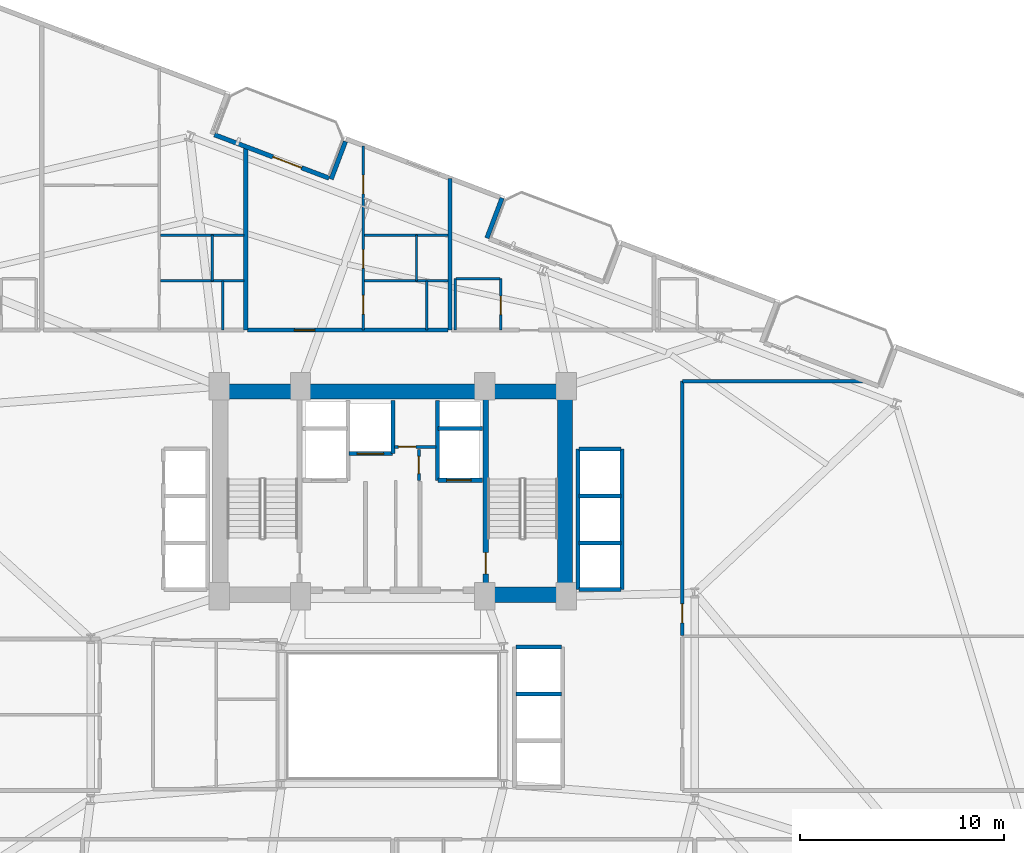
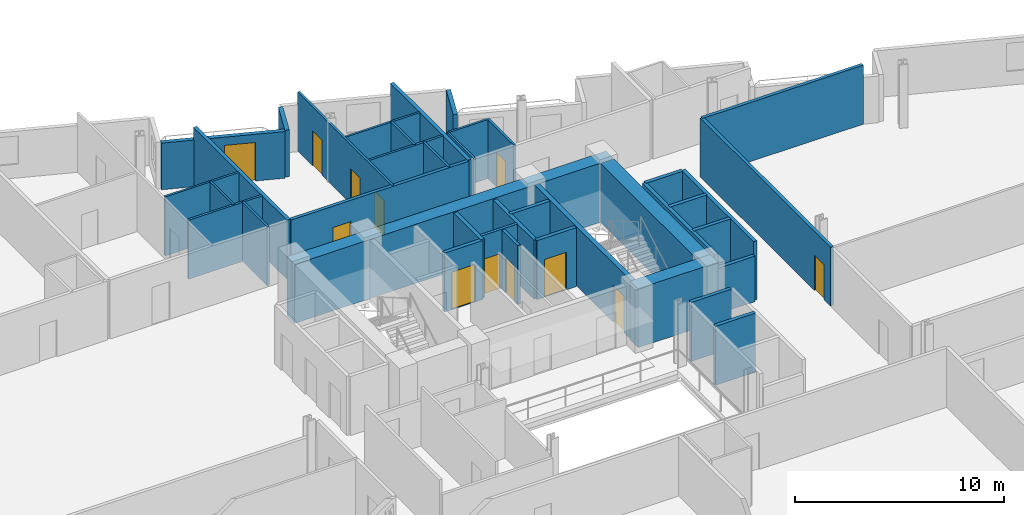
# One storey, part 20 of 25: 39 walls, 12 doors, 12 openings.
"""IFC4 building model written with IfcOpenShell, lengths in metres."""

from ifc_helpers import new_model, si_unit, direction, frame, frame_2d, origin, place, context, subcontext, project, spatial, rectangle, extrude, material, layer, layer_set, type_object, element, fill, save


model = new_model("IFC4")

# Units and contexts
model_context = context("Model", 3, precision=1e-05, world=origin(), true_north=direction((0.0, 1.0)))
body_context = subcontext(model_context, "Body", "Model", "MODEL_VIEW")
ifc_project = project(units=[si_unit("LENGTHUNIT", "METRE"), si_unit("AREAUNIT", "SQUARE_METRE"), si_unit("VOLUMEUNIT", "CUBIC_METRE"), si_unit("PLANEANGLEUNIT", "RADIAN"), si_unit("MASSUNIT", "GRAM", prefix="KILO")], contexts=[model_context])

# Site, building, storey
site_placement = place(None, origin())
site = spatial("IfcSite", under=ifc_project, at=site_placement, CompositionType="ELEMENT")
building_placement = place(site_placement, origin())
building = spatial("IfcBuilding", under=site, at=building_placement, Name="Varnelok Gate Tower", CompositionType="ELEMENT")
storey_placement = place(building_placement, frame((0.0, 0.0, 105.800048828125)))
storey = spatial("IfcBuildingStorey", under=building, at=storey_placement, Name="L26", CompositionType="ELEMENT", Elevation=105.800048828125)

# Wall, opening, door
ifc_material_1 = material(Name="Concrete C45/55", Category="concrete")
ifc_layer_1 = layer(ifc_material_1, 0.219970703125)
ifc_layer_set_1 = layer_set([ifc_layer_1], Name="Concrete C45/55")
wall_type_1 = type_object("IfcWallType", Name="EW-BALC-220", PredefinedType="SOLIDWALL", material=ifc_layer_set_1)
wall_1_placement = place(storey_placement, frame((30.465087890625, 51.37158203125, 0.0), z_axis=(0.0, 0.0, 1.0), x_axis=(0.935227640088, -0.354046976001, 0.0)))
wall_1 = element("IfcWall", 1, at=wall_1_placement, inside=storey, type_object=wall_type_1, Name="L26 North Terrace Envelope Wall 4", PredefinedType="SOLIDWALL", context=body_context, shape_type="SweptSolid", body=[
    extrude(rectangle(XDim=6.0, YDim=0.219970703125, at=frame_2d((3.0, 0.0))), origin(), (0.0, 0.0, 1.0), 2.72998046875),
])
opening_1_placement = place(wall_1_placement, frame((3.064208984375, 0.0, 0.0)))
opening_1 = element("IfcOpeningElement", 2, at=opening_1_placement, cuts=wall_1, Name="Opening BD-1", PredefinedType="OPENING", context=body_context, shape_type="SweptSolid", body=[
    extrude(rectangle(XDim=1.5, YDim=2.25, at=frame_2d((0.75, 1.125))), frame((0.0, 0.119873046875, 0.0), z_axis=(0.0, -1.0, 0.0), x_axis=(1.0, 0.0, 0.0)), (0.0, 0.0, 1.0), 0.239990234375),
])
ifc_material_2 = material(Name="Anodized Aluminum Alloy 6063-T6", Category="aluminium")
door_type_1 = type_object("IfcDoorType", Name="DR-EXT-BALC1500", OperationType="NOTDEFINED", PredefinedType="DOOR", material=ifc_material_2)
door_1_placement = place(opening_1_placement, origin())
door_1 = element("IfcDoor", 3, at=door_1_placement, inside=storey, type_object=door_type_1, Name="L26 North Balcony Glazed Door 4", OperationType="SINGLE_SWING_LEFT", OverallHeight=2.25, OverallWidth=1.5, PredefinedType="DOOR", context=body_context, shape_type="SweptSolid", body=[
    extrude(rectangle(XDim=1.5, YDim=2.25, at=frame_2d((0.75, 1.125))), frame((0.0, 0.02490234375, 0.0), z_axis=(0.0, -1.0, 0.0), x_axis=(1.0, 0.0, 0.0)), (0.0, 0.0, 1.0), 0.050048828125),
])
fill(opening_1, door_1)

# Walls
wall_2_placement = place(storey_placement, frame((43.816650390625, 46.30615234375, 0.0), z_axis=(0.0, 0.0, 1.0), x_axis=(0.353988291547, 0.935249854022, 0.0)))
element("IfcWall", 4, at=wall_2_placement, inside=storey, type_object=wall_type_1, Name="L26 Perimeter Facade Closure Wall 34", PredefinedType="SOLIDWALL", context=body_context, shape_type="SweptSolid", body=[
    extrude(rectangle(XDim=2.10009765625, YDim=0.219970703125, at=frame_2d((1.050048828125, 0.0))), origin(), (0.0, 0.0, 1.0), 2.72998046875),
])
wall_3_placement = place(storey_placement, frame((36.884521484375, 51.04248046875, 0.0), z_axis=(0.0, 0.0, 1.0), x_axis=(-0.354128791944, -0.935196663123, 0.0)))
element("IfcWall", 5, at=wall_3_placement, inside=storey, type_object=wall_type_1, Name="L26 Perimeter Facade Closure Wall 36", PredefinedType="SOLIDWALL", context=body_context, shape_type="SweptSolid", body=[
    extrude(rectangle(XDim=1.97509765625, YDim=0.219970703125, at=frame_2d((0.987548828125, 0.0))), origin(), (0.0, 0.0, 1.0), 2.72998046875),
])

# Wall, opening, door
ifc_material_3 = material(Name="Gypsum Plasterboard Acoustic Partition", Category="gypsum")
ifc_layer_2 = layer(ifc_material_3, 0.179931640625)
ifc_layer_set_2 = layer_set([ifc_layer_2], Name="Gypsum Plasterboard Acoustic Partition")
wall_type_2 = type_object("IfcWallType", Name="PW-CORR-180", PredefinedType="PARTITIONING", material=ifc_layer_set_2)
wall_4_placement = place(storey_placement, frame((32.080078125, 41.800048828125, 0.0), z_axis=(0.0, 0.0, 1.0), x_axis=(1.0, 0.0, 0.0)))
wall_4 = element("IfcWall", 6, at=wall_4_placement, inside=storey, type_object=wall_type_2, Name="Interior Partition", PredefinedType="PARTITIONING", context=body_context, shape_type="SweptSolid", body=[
    extrude(rectangle(XDim=9.83984375, YDim=0.179931640625, at=frame_2d((4.919921875, 0.0))), origin(), (0.0, 0.0, 1.0), 3.449951171875),
])
opening_2_placement = place(wall_4_placement, frame((2.302490234375, 0.0, 0.0)))
opening_2 = element("IfcOpeningElement", 7, at=opening_2_placement, cuts=wall_4, Name="Opening D-AP", PredefinedType="OPENING", context=body_context, shape_type="SweptSolid", body=[
    extrude(rectangle(XDim=1.0, YDim=2.199951171875, at=frame_2d((0.5, 1.10009765625))), frame((0.0, 0.099853515625, 0.0), z_axis=(0.0, -1.0, 0.0), x_axis=(1.0, 0.0, 0.0)), (0.0, 0.0, 1.0), 0.199951171875),
])
ifc_material_4 = material(Name="Engineered Hardwood Timber", Category="wood")
door_type_2 = type_object("IfcDoorType", Name="DR-APT-1000", OperationType="NOTDEFINED", PredefinedType="DOOR", material=ifc_material_4)
door_2_placement = place(opening_2_placement, origin())
door_2 = element("IfcDoor", 8, at=door_2_placement, inside=storey, type_object=door_type_2, Name="L26 North Apartment 7 Entrance Door", OperationType="SINGLE_SWING_LEFT", OverallHeight=2.199951171875, OverallWidth=1.0, PredefinedType="DOOR", context=body_context, shape_type="SweptSolid", body=[
    extrude(rectangle(XDim=1.0, YDim=2.199951171875, at=frame_2d((0.5, 1.10009765625))), frame((0.0, 0.02490234375, 0.0), z_axis=(0.0, -1.0, 0.0), x_axis=(1.0, 0.0, 0.0)), (0.0, 0.0, 1.0), 0.050048828125),
])
fill(opening_2, door_2)

wall_5_placement = place(storey_placement, frame((53.389892578125, 26.840087890625, 0.0), z_axis=(0.0, 0.0, 1.0), x_axis=(0.0, 1.0, 0.0)))
wall_5 = element("IfcWall", 9, at=wall_5_placement, inside=storey, type_object=wall_type_2, Name="Interior Partition", PredefinedType="PARTITIONING", context=body_context, shape_type="SweptSolid", body=[
    extrude(rectangle(XDim=12.4599609375, YDim=0.179931640625, at=frame_2d((6.22998046875, 0.0))), origin(), (0.0, 0.0, 1.0), 3.449951171875),
])
opening_3_placement = place(wall_5_placement, frame((0.6181640625, 0.0, 0.0)))
opening_3 = element("IfcOpeningElement", 10, at=opening_3_placement, cuts=wall_5, Name="Opening D-I3", PredefinedType="OPENING", context=body_context, shape_type="SweptSolid", body=[
    extrude(rectangle(XDim=0.919921875, YDim=2.050048828125, at=frame_2d((0.4599609375, 1.02490234375))), frame((0.0, 0.099853515625, 0.0), z_axis=(0.0, -1.0, 0.0), x_axis=(1.0, 0.0, 0.0)), (0.0, 0.0, 1.0), 0.199951171875),
])
door_type_3 = type_object("IfcDoorType", Name="DR-INT-920", OperationType="NOTDEFINED", PredefinedType="DOOR", material=ifc_material_4)
door_3_placement = place(opening_3_placement, origin())
door_3 = element("IfcDoor", 11, at=door_3_placement, inside=storey, type_object=door_type_3, Name="L26 East Playroom Door", OperationType="SINGLE_SWING_LEFT", OverallHeight=2.050048828125, OverallWidth=0.919921875, PredefinedType="DOOR", context=body_context, shape_type="SweptSolid", body=[
    extrude(rectangle(XDim=0.919921875, YDim=2.050048828125, at=frame_2d((0.4599609375, 1.02490234375))), frame((0.0, 0.02490234375, 0.0), z_axis=(0.0, -1.0, 0.0), x_axis=(1.0, 0.0, 0.0)), (0.0, 0.0, 1.0), 0.050048828125),
])
fill(opening_3, door_3)

# Walls
wall_6_placement = place(storey_placement, frame((53.389892578125, 39.300048828125, 0.0), z_axis=(0.0, 0.0, 1.0), x_axis=(1.0, 0.0, 0.0)))
element("IfcWall", 12, at=wall_6_placement, inside=storey, type_object=wall_type_2, Name="Interior Partition", PredefinedType="PARTITIONING", context=body_context, shape_type="SweptSolid", body=[
    extrude(rectangle(XDim=8.87646484375, YDim=0.179931640625, at=frame_2d((4.438232421875, 0.0))), origin(), (0.0, 0.0, 1.0), 3.449951171875),
])
ifc_layer_3 = layer(ifc_material_3, 0.114990234375)
ifc_layer_set_3 = layer_set([ifc_layer_3], Name="Gypsum Plasterboard Acoustic Partition")
wall_type_3 = type_object("IfcWallType", Name="PW-ENS-125", PredefinedType="PARTITIONING", material=ifc_layer_set_3)
wall_7_placement = place(storey_placement, frame((27.8251953125, 46.449951171875, 0.0), z_axis=(0.0, 0.0, 1.0), x_axis=(1.0, 0.0, 0.0)))
element("IfcWall", 13, at=wall_7_placement, inside=storey, type_object=wall_type_3, Name="Interior Partition", PredefinedType="PARTITIONING", context=body_context, shape_type="SweptSolid", body=[
    extrude(rectangle(XDim=4.0947265625, YDim=0.114990234375, at=frame_2d((2.04736328125, 0.0))), origin(), (0.0, 0.0, 1.0), 3.449951171875),
])
wall_8_placement = place(storey_placement, frame((30.365234375, 44.2099609375, 0.0), z_axis=(0.0, 0.0, 1.0), x_axis=(0.0, 1.0, 0.0)))
element("IfcWall", 14, at=wall_8_placement, inside=storey, type_object=wall_type_3, Name="Interior Partition", PredefinedType="PARTITIONING", context=body_context, shape_type="SweptSolid", body=[
    extrude(rectangle(XDim=2.239990234375, YDim=0.114990234375, at=frame_2d((1.1201171875, 0.0))), origin(), (0.0, 0.0, 1.0), 3.449951171875),
])
wall_9_placement = place(storey_placement, frame((37.8251953125, 46.449951171875, 0.0), z_axis=(0.0, 0.0, 1.0), x_axis=(1.0, 0.0, 0.0)))
element("IfcWall", 15, at=wall_9_placement, inside=storey, type_object=wall_type_3, Name="Interior Partition", PredefinedType="PARTITIONING", context=body_context, shape_type="SweptSolid", body=[
    extrude(rectangle(XDim=4.0947265625, YDim=0.114990234375, at=frame_2d((2.04736328125, 0.0))), origin(), (0.0, 0.0, 1.0), 3.449951171875),
])
wall_10_placement = place(storey_placement, frame((40.365234375, 44.2099609375, 0.0), z_axis=(0.0, 0.0, 1.0), x_axis=(0.0, 1.0, 0.0)))
element("IfcWall", 16, at=wall_10_placement, inside=storey, type_object=wall_type_3, Name="Interior Partition", PredefinedType="PARTITIONING", context=body_context, shape_type="SweptSolid", body=[
    extrude(rectangle(XDim=2.239990234375, YDim=0.114990234375, at=frame_2d((1.1201171875, 0.0))), origin(), (0.0, 0.0, 1.0), 3.449951171875),
])
wall_11_placement = place(storey_placement, frame((42.300048828125, 44.320068359375, 0.0), z_axis=(0.0, 0.0, 1.0), x_axis=(1.0, 0.0, 0.0)))
element("IfcWall", 17, at=wall_11_placement, inside=storey, type_object=wall_type_3, Name="Interior Partition", PredefinedType="PARTITIONING", context=body_context, shape_type="SweptSolid", body=[
    extrude(rectangle(XDim=2.14990234375, YDim=0.114990234375, at=frame_2d((1.074951171875, 0.0))), origin(), (0.0, 0.0, 1.0), 3.449951171875),
])

# Wall, opening, door
wall_12_placement = place(storey_placement, frame((44.489990234375, 41.800048828125, 0.0), z_axis=(0.0, 0.0, 1.0), x_axis=(0.0, 1.0, 0.0)))
wall_12 = element("IfcWall", 18, at=wall_12_placement, inside=storey, type_object=wall_type_3, Name="Interior Partition", PredefinedType="PARTITIONING", context=body_context, shape_type="SweptSolid", body=[
    extrude(rectangle(XDim=2.52001953125, YDim=0.114990234375, at=frame_2d((1.260009765625, 0.0))), origin(), (0.0, 0.0, 1.0), 3.449951171875),
])
opening_4_placement = place(wall_12_placement, frame((0.760009765625, 0.0, 0.0)))
opening_4 = element("IfcOpeningElement", 19, at=opening_4_placement, cuts=wall_12, Name="Opening D-WC", PredefinedType="OPENING", context=body_context, shape_type="SweptSolid", body=[
    extrude(rectangle(XDim=0.89990234375, YDim=2.050048828125, at=frame_2d((0.449951171875, 1.02490234375))), frame((0.0, 0.0673828125, 0.0), z_axis=(0.0, -1.0, 0.0), x_axis=(1.0, 0.0, 0.0)), (0.0, 0.0, 1.0), 0.135009765625),
])
door_type_4 = type_object("IfcDoorType", Name="DR-BATH-900", OperationType="NOTDEFINED", PredefinedType="DOOR", material=ifc_material_4)
door_4_placement = place(opening_4_placement, origin())
door_4 = element("IfcDoor", 20, at=door_4_placement, inside=storey, type_object=door_type_4, Name="L26 North En-Suite 08 Door", OperationType="SINGLE_SWING_RIGHT", OverallHeight=2.050048828125, OverallWidth=0.89990234375, PredefinedType="DOOR", context=body_context, shape_type="SweptSolid", body=[
    extrude(rectangle(XDim=0.89990234375, YDim=2.050048828125, at=frame_2d((0.449951171875, 1.02490234375))), frame((0.0, 0.02490234375, 0.0), z_axis=(0.0, -1.0, 0.0), x_axis=(1.0, 0.0, 0.0)), (0.0, 0.0, 1.0), 0.050048828125),
])
fill(opening_4, door_4)

# Walls
wall_13_placement = place(storey_placement, frame((42.260009765625, 41.800048828125, 0.0), z_axis=(0.0, 0.0, 1.0), x_axis=(0.0, 1.0, 0.0)))
element("IfcWall", 21, at=wall_13_placement, inside=storey, type_object=wall_type_3, Name="Interior Partition", PredefinedType="PARTITIONING", context=body_context, shape_type="SweptSolid", body=[
    extrude(rectangle(XDim=2.52001953125, YDim=0.114990234375, at=frame_2d((1.260009765625, 0.0))), origin(), (0.0, 0.0, 1.0), 3.449951171875),
])
ifc_layer_4 = layer(ifc_material_3, 0.125)
ifc_layer_set_4 = layer_set([ifc_layer_4], Name="Gypsum Plasterboard Acoustic Partition")
wall_type_4 = type_object("IfcWallType", Name="PW-PART-125", PredefinedType="PARTITIONING", material=ifc_layer_set_4)
wall_14_placement = place(storey_placement, frame((27.8251953125, 44.2099609375, 0.0), z_axis=(0.0, 0.0, 1.0), x_axis=(1.0, 0.0, 0.0)))
element("IfcWall", 22, at=wall_14_placement, inside=storey, type_object=wall_type_4, Name="Interior Partition", PredefinedType="PARTITIONING", context=body_context, shape_type="SweptSolid", body=[
    extrude(rectangle(XDim=4.0947265625, YDim=0.125, at=frame_2d((2.04736328125, 0.0))), origin(), (0.0, 0.0, 1.0), 3.449951171875),
])
wall_15_placement = place(storey_placement, frame((30.865234375, 41.800048828125, 0.0), z_axis=(0.0, 0.0, 1.0), x_axis=(0.0, 1.0, 0.0)))
element("IfcWall", 23, at=wall_15_placement, inside=storey, type_object=wall_type_4, Name="Interior Partition", PredefinedType="PARTITIONING", context=body_context, shape_type="SweptSolid", body=[
    extrude(rectangle(XDim=2.409912109375, YDim=0.125, at=frame_2d((1.205078125, 0.0))), origin(), (0.0, 0.0, 1.0), 3.449951171875),
])

# Wall, openings, doors
wall_16_placement = place(storey_placement, frame((37.755126953125, 41.800048828125, 0.0), z_axis=(0.0, 0.0, 1.0), x_axis=(0.0, 1.0, 0.0)))
wall_16 = element("IfcWall", 24, at=wall_16_placement, inside=storey, type_object=wall_type_4, Name="Interior Partition", PredefinedType="PARTITIONING", context=body_context, shape_type="SweptSolid", body=[
    extrude(rectangle(XDim=9.02490234375, YDim=0.125, at=frame_2d((4.512451171875, 0.0))), origin(), (0.0, 0.0, 1.0), 3.449951171875),
])
opening_5_placement = place(wall_16_placement, frame((0.785400390625, 0.0, 0.0)))
opening_5 = element("IfcOpeningElement", 25, at=opening_5_placement, cuts=wall_16, Name="Opening D-I3", PredefinedType="OPENING", context=body_context, shape_type="SweptSolid", body=[
    extrude(rectangle(XDim=0.919921875, YDim=2.050048828125, at=frame_2d((0.4599609375, 1.02490234375))), frame((0.0, 0.072509765625, 0.0), z_axis=(0.0, -1.0, 0.0), x_axis=(1.0, 0.0, 0.0)), (0.0, 0.0, 1.0), 0.14501953125),
])
opening_6_placement = place(wall_16_placement, frame((3.037353515625, 0.0, 0.0)))
opening_6 = element("IfcOpeningElement", 26, at=opening_6_placement, cuts=wall_16, Name="Opening D-WC", PredefinedType="OPENING", context=body_context, shape_type="SweptSolid", body=[
    extrude(rectangle(XDim=0.89990234375, YDim=2.050048828125, at=frame_2d((0.449951171875, 1.02490234375))), frame((0.0, 0.072509765625, 0.0), z_axis=(0.0, -1.0, 0.0), x_axis=(1.0, 0.0, 0.0)), (0.0, 0.0, 1.0), 0.14501953125),
])
opening_7_placement = place(wall_16_placement, frame((6.677978515625, 0.0, 0.0)))
opening_7 = element("IfcOpeningElement", 27, at=opening_7_placement, cuts=wall_16, Name="Opening D-I3", PredefinedType="OPENING", context=body_context, shape_type="SweptSolid", body=[
    extrude(rectangle(XDim=0.919921875, YDim=2.050048828125, at=frame_2d((0.4599609375, 1.02490234375))), frame((0.0, 0.072509765625, 0.0), z_axis=(0.0, -1.0, 0.0), x_axis=(1.0, 0.0, 0.0)), (0.0, 0.0, 1.0), 0.14501953125),
])
door_5_placement = place(opening_6_placement, origin())
door_5 = element("IfcDoor", 28, at=door_5_placement, inside=storey, type_object=door_type_4, Name="L26 North Apt 7 Bathroom Door", OperationType="SINGLE_SWING_RIGHT", OverallHeight=2.050048828125, OverallWidth=0.89990234375, PredefinedType="DOOR", context=body_context, shape_type="SweptSolid", body=[
    extrude(rectangle(XDim=0.89990234375, YDim=2.050048828125, at=frame_2d((0.449951171875, 1.02490234375))), frame((0.0, 0.02490234375, 0.0), z_axis=(0.0, -1.0, 0.0), x_axis=(1.0, 0.0, 0.0)), (0.0, 0.0, 1.0), 0.050048828125),
])
fill(opening_6, door_5)
door_6_placement = place(opening_5_placement, origin())
door_6 = element("IfcDoor", 29, at=door_6_placement, inside=storey, type_object=door_type_3, Name="L26 North Apt 7 Kitchen Door", OperationType="SINGLE_SWING_LEFT", OverallHeight=2.050048828125, OverallWidth=0.919921875, PredefinedType="DOOR", context=body_context, shape_type="SweptSolid", body=[
    extrude(rectangle(XDim=0.919921875, YDim=2.050048828125, at=frame_2d((0.4599609375, 1.02490234375))), frame((0.0, 0.02490234375, 0.0), z_axis=(0.0, -1.0, 0.0), x_axis=(1.0, 0.0, 0.0)), (0.0, 0.0, 1.0), 0.050048828125),
])
fill(opening_5, door_6)
door_7_placement = place(opening_7_placement, origin())
door_7 = element("IfcDoor", 30, at=door_7_placement, inside=storey, type_object=door_type_3, Name="L26 North Apt 7 Bedroom Door", OperationType="SINGLE_SWING_LEFT", OverallHeight=2.050048828125, OverallWidth=0.919921875, PredefinedType="DOOR", context=body_context, shape_type="SweptSolid", body=[
    extrude(rectangle(XDim=0.919921875, YDim=2.050048828125, at=frame_2d((0.4599609375, 1.02490234375))), frame((0.0, 0.02490234375, 0.0), z_axis=(0.0, -1.0, 0.0), x_axis=(1.0, 0.0, 0.0)), (0.0, 0.0, 1.0), 0.050048828125),
])
fill(opening_7, door_7)

# Walls
wall_17_placement = place(storey_placement, frame((37.8251953125, 44.2099609375, 0.0), z_axis=(0.0, 0.0, 1.0), x_axis=(1.0, 0.0, 0.0)))
element("IfcWall", 31, at=wall_17_placement, inside=storey, type_object=wall_type_4, Name="Interior Partition", PredefinedType="PARTITIONING", context=body_context, shape_type="SweptSolid", body=[
    extrude(rectangle(XDim=4.0947265625, YDim=0.125, at=frame_2d((2.04736328125, 0.0))), origin(), (0.0, 0.0, 1.0), 3.449951171875),
])
wall_18_placement = place(storey_placement, frame((40.865234375, 41.800048828125, 0.0), z_axis=(0.0, 0.0, 1.0), x_axis=(0.0, 1.0, 0.0)))
element("IfcWall", 32, at=wall_18_placement, inside=storey, type_object=wall_type_4, Name="Interior Partition", PredefinedType="PARTITIONING", context=body_context, shape_type="SweptSolid", body=[
    extrude(rectangle(XDim=2.409912109375, YDim=0.125, at=frame_2d((1.205078125, 0.0))), origin(), (0.0, 0.0, 1.0), 3.449951171875),
])

# Wall, opening, door
ifc_layer_5 = layer(ifc_material_3, 0.14990234375)
ifc_layer_set_5 = layer_set([ifc_layer_5], Name="Gypsum Plasterboard Acoustic Partition")
wall_type_5 = type_object("IfcWallType", Name="PW-PART-150", PredefinedType="PARTITIONING", material=ifc_layer_set_5)
wall_19_placement = place(storey_placement, frame((39.300048828125, 36.080078125, 0.0), z_axis=(0.0, 0.0, 1.0), x_axis=(1.0, 0.0, 0.0)))
wall_19 = element("IfcWall", 33, at=wall_19_placement, inside=storey, type_object=wall_type_5, Name="L26 Electrical Closet South Wall", PredefinedType="PARTITIONING", context=body_context, shape_type="SweptSolid", body=[
    extrude(rectangle(XDim=2.02001953125, YDim=0.14990234375, at=frame_2d((1.010009765625, 0.0))), origin(), (0.0, 0.0, 1.0), 3.449951171875),
])
opening_8_placement = place(wall_19_placement, frame((0.179931640625, 0.0, 0.0)))
opening_8 = element("IfcOpeningElement", 34, at=opening_8_placement, cuts=wall_19, Name="Opening D-RS", PredefinedType="OPENING", context=body_context, shape_type="SweptSolid", body=[
    extrude(rectangle(XDim=0.85009765625, YDim=2.050048828125, at=frame_2d((0.425048828125, 1.02490234375))), frame((0.0, 0.0849609375, 0.0), z_axis=(0.0, -1.0, 0.0), x_axis=(1.0, 0.0, 0.0)), (0.0, 0.0, 1.0), 0.169921875),
])
ifc_material_5 = material(Name="Galvanized Steel Grade S350GD", Category="steel")
door_type_5 = type_object("IfcDoorType", Name="DR-RISER-850", OperationType="NOTDEFINED", PredefinedType="DOOR", material=ifc_material_5)
door_8_placement = place(opening_8_placement, origin())
door_8 = element("IfcDoor", 35, at=door_8_placement, inside=storey, type_object=door_type_5, Name="L26 Electrical Closet Door", OperationType="SINGLE_SWING_RIGHT", OverallHeight=2.050048828125, OverallWidth=0.85009765625, PredefinedType="DOOR", context=body_context, shape_type="SweptSolid", body=[
    extrude(rectangle(XDim=0.85009765625, YDim=2.050048828125, at=frame_2d((0.425048828125, 1.02490234375))), frame((0.0, 0.02490234375, 0.0), z_axis=(0.0, -1.0, 0.0), x_axis=(1.0, 0.0, 0.0)), (0.0, 0.0, 1.0), 0.050048828125),
])
fill(opening_8, door_8)

wall_20_placement = place(storey_placement, frame((40.47998046875, 34.43994140625, 0.0), z_axis=(0.0, 0.0, 1.0), x_axis=(0.0, 1.0, 0.0)))
wall_20 = element("IfcWall", 36, at=wall_20_placement, inside=storey, type_object=wall_type_5, Name="L26 Telecoms Closet West Wall", PredefinedType="PARTITIONING", context=body_context, shape_type="SweptSolid", body=[
    extrude(rectangle(XDim=1.52001953125, YDim=0.14990234375, at=frame_2d((0.760009765625, 0.0))), origin(), (0.0, 0.0, 1.0), 3.449951171875),
])
opening_9_placement = place(wall_20_placement, frame((0.320068359375, 0.0, 0.0)))
opening_9 = element("IfcOpeningElement", 37, at=opening_9_placement, cuts=wall_20, Name="Opening D-RS", PredefinedType="OPENING", context=body_context, shape_type="SweptSolid", body=[
    extrude(rectangle(XDim=0.85009765625, YDim=2.050048828125, at=frame_2d((0.425048828125, 1.02490234375))), frame((0.0, 0.0849609375, 0.0), z_axis=(0.0, -1.0, 0.0), x_axis=(1.0, 0.0, 0.0)), (0.0, 0.0, 1.0), 0.169921875),
])
door_9_placement = place(opening_9_placement, origin())
door_9 = element("IfcDoor", 38, at=door_9_placement, inside=storey, type_object=door_type_5, Name="L26 Telecoms Closet Door", OperationType="SINGLE_SWING_LEFT", OverallHeight=2.050048828125, OverallWidth=0.85009765625, PredefinedType="DOOR", context=body_context, shape_type="SweptSolid", body=[
    extrude(rectangle(XDim=0.85009765625, YDim=2.050048828125, at=frame_2d((0.425048828125, 1.02490234375))), frame((0.0, 0.02490234375, 0.0), z_axis=(0.0, -1.0, 0.0), x_axis=(1.0, 0.0, 0.0)), (0.0, 0.0, 1.0), 0.050048828125),
])
fill(opening_9, door_9)

# Walls
ifc_layer_6 = layer(ifc_material_3, 0.205078125)
ifc_layer_set_6 = layer_set([ifc_layer_6], Name="Gypsum Plasterboard Acoustic Partition")
wall_type_6 = type_object("IfcWallType", Name="PW-PARTY-200", PredefinedType="PARTITIONING", material=ifc_layer_set_6)
wall_21_placement = place(storey_placement, frame((32.0, 41.800048828125, 0.0), z_axis=(0.0, 0.0, 1.0), x_axis=(0.0, 1.0, 0.0)))
element("IfcWall", 39, at=wall_21_placement, inside=storey, type_object=wall_type_6, Name="L26 North Party Wall 2", PredefinedType="PARTITIONING", context=body_context, shape_type="SweptSolid", body=[
    extrude(rectangle(XDim=8.958251953125, YDim=0.205078125, at=frame_2d((4.47900390625, 0.0))), origin(), (0.0, 0.0, 1.0), 3.449951171875),
])
wall_22_placement = place(storey_placement, frame((42.0, 41.800048828125, 0.0), z_axis=(0.0, 0.0, 1.0), x_axis=(0.0, 1.0, 0.0)))
element("IfcWall", 40, at=wall_22_placement, inside=storey, type_object=wall_type_6, Name="L26 North Party Wall 3", PredefinedType="PARTITIONING", context=body_context, shape_type="SweptSolid", body=[
    extrude(rectangle(XDim=7.41796875, YDim=0.205078125, at=frame_2d((3.708984375, 0.0))), origin(), (0.0, 0.0, 1.0), 3.449951171875),
])

# Wall, opening, door
ifc_material_6 = material(Name="Concrete C35/45", Category="concrete")
ifc_layer_7 = layer(ifc_material_6, 0.199951171875)
ifc_layer_set_7 = layer_set([ifc_layer_7], Name="Concrete C35/45")
wall_type_7 = type_object("IfcWallType", Name="PW-SHAFT-200", PredefinedType="PARTITIONING", material=ifc_layer_set_7)
wall_23_placement = place(storey_placement, frame((41.419921875, 34.43994140625, 0.0), z_axis=(0.0, 0.0, 1.0), x_axis=(1.0, 0.0, 0.0)))
wall_23 = element("IfcWall", 41, at=wall_23_placement, inside=storey, type_object=wall_type_7, Name="L26 FF2 Shaft Front Wall", PredefinedType="PARTITIONING", context=body_context, shape_type="SweptSolid", body=[
    extrude(rectangle(XDim=2.18017578125, YDim=0.199951171875, at=frame_2d((1.090087890625, 0.0))), origin(), (0.0, 0.0, 1.0), 3.449951171875),
])
opening_10_placement = place(wall_23_placement, frame((0.419921875, 0.0, 0.0)))
opening_10 = element("IfcOpeningElement", 42, at=opening_10_placement, cuts=wall_23, Name="Opening LD-FF2", PredefinedType="OPENING", context=body_context, shape_type="SweptSolid", body=[
    extrude(rectangle(XDim=1.199951171875, YDim=2.199951171875, at=frame_2d((0.60009765625, 1.10009765625))), frame((0.0, 0.10986328125, 0.0), z_axis=(0.0, -1.0, 0.0), x_axis=(1.0, 0.0, 0.0)), (0.0, 0.0, 1.0), 0.219970703125),
])
door_type_6 = type_object("IfcDoorType", Name="DR-LIFT-FF1200", OperationType="SLIDING_TO_LEFT", PredefinedType="DOOR", material=ifc_material_5)
door_10_placement = place(opening_10_placement, origin())
door_10 = element("IfcDoor", 43, at=door_10_placement, inside=storey, type_object=door_type_6, Name="L26 Firefighting Lift Landing Door LD-FF2", OperationType="SLIDING_TO_LEFT", OverallHeight=2.199951171875, OverallWidth=1.199951171875, PredefinedType="DOOR", context=body_context, shape_type="SweptSolid", body=[
    extrude(rectangle(XDim=1.199951171875, YDim=2.199951171875, at=frame_2d((0.60009765625, 1.10009765625))), frame((0.0, 0.02490234375, 0.0), z_axis=(0.0, -1.0, 0.0), x_axis=(1.0, 0.0, 0.0)), (0.0, 0.0, 1.0), 0.050048828125),
])
fill(opening_10, door_10)

# Walls
wall_24_placement = place(storey_placement, frame((41.419921875, 36.97998046875, 0.0), z_axis=(0.0, 0.0, 1.0), x_axis=(1.0, 0.0, 0.0)))
element("IfcWall", 44, at=wall_24_placement, inside=storey, type_object=wall_type_7, Name="L26 FF2 Shaft North Wall", PredefinedType="PARTITIONING", context=body_context, shape_type="SweptSolid", body=[
    extrude(rectangle(XDim=2.18017578125, YDim=0.199951171875, at=frame_2d((1.090087890625, 0.0))), origin(), (0.0, 0.0, 1.0), 3.449951171875),
])
wall_25_placement = place(storey_placement, frame((41.39990234375, 34.43994140625, 0.0), z_axis=(0.0, 0.0, 1.0), x_axis=(0.0, 1.0, 0.0)))
element("IfcWall", 45, at=wall_25_placement, inside=storey, type_object=wall_type_7, Name="L26 FF2 Shaft Side Wall", PredefinedType="PARTITIONING", context=body_context, shape_type="SweptSolid", body=[
    extrude(rectangle(XDim=3.900146484375, YDim=0.199951171875, at=frame_2d((1.9501953125, 0.0))), origin(), (0.0, 0.0, 1.0), 3.449951171875),
])

# Wall, opening, door
wall_26_placement = place(storey_placement, frame((37.06005859375, 35.75, 0.0), z_axis=(0.0, 0.0, 1.0), x_axis=(1.0, 0.0, 0.0)))
wall_26 = element("IfcWall", 46, at=wall_26_placement, inside=storey, type_object=wall_type_7, Name="L26 SV1 Shaft Front Wall", PredefinedType="PARTITIONING", context=body_context, shape_type="SweptSolid", body=[
    extrude(rectangle(XDim=2.119873046875, YDim=0.199951171875, at=frame_2d((1.06005859375, 0.0))), origin(), (0.0, 0.0, 1.0), 3.449951171875),
])
opening_11_placement = place(wall_26_placement, frame((0.39990234375, 0.0, 0.0)))
opening_11 = element("IfcOpeningElement", 47, at=opening_11_placement, cuts=wall_26, Name="Opening LD-SV1", PredefinedType="OPENING", context=body_context, shape_type="SweptSolid", body=[
    extrude(rectangle(XDim=1.300048828125, YDim=2.199951171875, at=frame_2d((0.64990234375, 1.10009765625))), frame((0.0, 0.10986328125, 0.0), z_axis=(0.0, -1.0, 0.0), x_axis=(1.0, 0.0, 0.0)), (0.0, 0.0, 1.0), 0.219970703125),
])
door_type_7 = type_object("IfcDoorType", Name="DR-LIFT-SV1300", OperationType="SLIDING_TO_LEFT", PredefinedType="DOOR", material=ifc_material_5)
door_11_placement = place(opening_11_placement, origin())
door_11 = element("IfcDoor", 48, at=door_11_placement, inside=storey, type_object=door_type_7, Name="L26 Service Lift Landing Door LD-SV1", OperationType="SLIDING_TO_LEFT", OverallHeight=2.199951171875, OverallWidth=1.300048828125, PredefinedType="DOOR", context=body_context, shape_type="SweptSolid", body=[
    extrude(rectangle(XDim=1.300048828125, YDim=2.199951171875, at=frame_2d((0.64990234375, 1.10009765625))), frame((0.0, 0.02490234375, 0.0), z_axis=(0.0, -1.0, 0.0), x_axis=(1.0, 0.0, 0.0)), (0.0, 0.0, 1.0), 0.050048828125),
])
fill(opening_11, door_11)

# Walls
wall_27_placement = place(storey_placement, frame((39.219970703125, 35.75, 0.0), z_axis=(0.0, 0.0, 1.0), x_axis=(0.0, 1.0, 0.0)))
element("IfcWall", 49, at=wall_27_placement, inside=storey, type_object=wall_type_7, Name="L26 SV1 Shaft East Wall", PredefinedType="PARTITIONING", context=body_context, shape_type="SweptSolid", body=[
    extrude(rectangle(XDim=2.590087890625, YDim=0.199951171875, at=frame_2d((1.294921875, 0.0))), origin(), (0.0, 0.0, 1.0), 3.449951171875),
])
for number, where, z_axis, x_axis, name in (
    (50, (48.320068359375, 31.375, 0.0), (0.0, 0.0, 1.0), (1.0, 0.0, 0.0), "L26 PM1 Divider"),
    (51, (48.320068359375, 33.675048828125, 0.0), (0.0, 0.0, 1.0), (1.0, 0.0, 0.0), "L26 PM2 Divider"),
):
    element("IfcWall", number, at=place(storey_placement, frame(where, z_axis=z_axis, x_axis=x_axis)), inside=storey, type_object=wall_type_7, Name=name, PredefinedType="PARTITIONING", context=body_context, shape_type="SweptSolid", body=[
        extrude(rectangle(XDim=2.059814453125, YDim=0.199951171875, at=frame_2d((1.02978515625, 0.0))), origin(), (0.0, 0.0, 1.0), 3.449951171875),
    ])
wall_28_placement = place(storey_placement, frame((48.320068359375, 29.080078125, 0.0), z_axis=(0.0, 0.0, 1.0), x_axis=(1.0, 0.0, 0.0)))
element("IfcWall", 52, at=wall_28_placement, inside=storey, type_object=wall_type_7, Name="L26 PM Bank South Wall", PredefinedType="PARTITIONING", context=body_context, shape_type="SweptSolid", body=[
    extrude(rectangle(XDim=2.059814453125, YDim=0.199951171875, at=frame_2d((1.02978515625, 0.0))), origin(), (0.0, 0.0, 1.0), 2.661865234375),
])
wall_29_placement = place(storey_placement, frame((48.320068359375, 35.969970703125, 0.0), z_axis=(0.0, 0.0, 1.0), x_axis=(1.0, 0.0, 0.0)))
element("IfcWall", 53, at=wall_29_placement, inside=storey, type_object=wall_type_7, Name="L26 PM Bank North Wall", PredefinedType="PARTITIONING", context=body_context, shape_type="SweptSolid", body=[
    extrude(rectangle(XDim=2.059814453125, YDim=0.199951171875, at=frame_2d((1.02978515625, 0.0))), origin(), (0.0, 0.0, 1.0), 3.449951171875),
])
for number, where, z_axis, x_axis, name in (
    (54, (48.280029296875, 29.080078125, 0.0), (0.0, 0.0, 1.0), (0.0, 1.0, 0.0), "L26 PM Bank Back Wall"),
    (55, (50.43994140625, 29.080078125, 0.0), (0.0, 0.0, 1.0), (0.0, 1.0, 0.0), "L26 PM Bank Front Wall"),
):
    element("IfcWall", number, at=place(storey_placement, frame(where, z_axis=z_axis, x_axis=x_axis)), inside=storey, type_object=wall_type_7, Name=name, PredefinedType="PARTITIONING", context=body_context, shape_type="SweptSolid", body=[
        extrude(rectangle(XDim=6.889892578125, YDim=0.199951171875, at=frame_2d((3.44482421875, 0.0))), origin(), (0.0, 0.0, 1.0), 3.449951171875),
    ])
for number, where, z_axis, x_axis, name in (
    (56, (45.239990234375, 23.97509765625, 0.0), (0.0, 0.0, 1.0), (1.0, 0.0, 0.0), "L26 PH2 Divider"),
    (57, (45.239990234375, 26.280029296875, 0.0), (0.0, 0.0, 1.0), (1.0, 0.0, 0.0), "L26 PH Bank North Wall"),
):
    element("IfcWall", number, at=place(storey_placement, frame(where, z_axis=z_axis, x_axis=x_axis)), inside=storey, type_object=wall_type_7, Name=name, PredefinedType="PARTITIONING", context=body_context, shape_type="SweptSolid", body=[
        extrude(rectangle(XDim=2.219970703125, YDim=0.199951171875, at=frame_2d((1.10986328125, 0.0))), origin(), (0.0, 0.0, 1.0), 3.449951171875),
    ])
ifc_material_7 = material(Name="Concrete C70/85", Category="concrete")
ifc_layer_8 = layer(ifc_material_7, 0.75)
ifc_layer_set_8 = layer_set([ifc_layer_8], Name="Concrete C70/85")
wall_type_8 = type_object("IfcWallType", Name="SW-CORE-750", PredefinedType="SHEAR", material=ifc_layer_set_8)
wall_30_placement = place(storey_placement, frame((30.3798828125, 38.794921875, 0.0), z_axis=(0.0, 0.0, 1.0), x_axis=(1.0, 0.0, 0.0)))
element("IfcWall", 58, at=wall_30_placement, inside=storey, type_object=wall_type_8, Name="L26 Rear Core North Shear Wall", PredefinedType="SHEAR", context=body_context, shape_type="SweptSolid", body=[
    extrude(rectangle(XDim=17.64013671875, YDim=0.75, at=frame_2d((8.820068359375, 0.0))), origin(), (0.0, 0.0, 1.0), 3.449951171875),
])
wall_31_placement = place(storey_placement, frame((47.64501953125, 29.199951171875, 0.0), z_axis=(0.0, 0.0, 1.0), x_axis=(0.0, 1.0, 0.0)))
element("IfcWall", 59, at=wall_31_placement, inside=storey, type_object=wall_type_8, Name="L26 Rear Core East Shear Wall", PredefinedType="SHEAR", context=body_context, shape_type="SweptSolid", body=[
    extrude(rectangle(XDim=9.219970703125, YDim=0.75, at=frame_2d((4.60986328125, 0.0))), origin(), (0.0, 0.0, 1.0), 3.449951171875),
])
wall_32_placement = place(storey_placement, frame((43.60009765625, 28.824951171875, 0.0), z_axis=(0.0, 0.0, 1.0), x_axis=(1.0, 0.0, 0.0)))
element("IfcWall", 60, at=wall_32_placement, inside=storey, type_object=wall_type_8, Name="L26 Rear Core South-East Shear Wall", PredefinedType="SHEAR", context=body_context, shape_type="SweptSolid", body=[
    extrude(rectangle(XDim=4.419921875, YDim=0.75, at=frame_2d((2.2099609375, 0.0))), origin(), (0.0, 0.0, 1.0), 3.449951171875),
])

# Wall, opening, door
ifc_material_8 = material(Name="Concrete C60/75", Category="concrete")
ifc_layer_9 = layer(ifc_material_8, 0.25)
ifc_layer_set_9 = layer_set([ifc_layer_9], Name="Concrete C60/75")
wall_type_9 = type_object("IfcWallType", Name="SW-SHAFT-250", PredefinedType="SHEAR", material=ifc_layer_set_9)
wall_33_placement = place(storey_placement, frame((43.760009765625, 29.199951171875, 0.0), z_axis=(0.0, 0.0, 1.0), x_axis=(0.0, 1.0, 0.0)))
wall_33 = element("IfcWall", 61, at=wall_33_placement, inside=storey, type_object=wall_type_9, Name="L26 Stair ST-2 West Shear Wall", PredefinedType="SHEAR", context=body_context, shape_type="SweptSolid", body=[
    extrude(rectangle(XDim=9.219970703125, YDim=0.25, at=frame_2d((4.60986328125, 0.0))), origin(), (0.0, 0.0, 1.0), 3.449951171875),
])
opening_12_placement = place(wall_33_placement, frame((0.64990234375, 0.0, 0.0)))
opening_12 = element("IfcOpeningElement", 62, at=opening_12_placement, cuts=wall_33, Name="Opening D-ST", PredefinedType="OPENING", context=body_context, shape_type="SweptSolid", body=[
    extrude(rectangle(XDim=1.050048828125, YDim=2.14990234375, at=frame_2d((0.52490234375, 1.074951171875))), frame((0.0, 0.135009765625, 0.0), z_axis=(0.0, -1.0, 0.0), x_axis=(1.0, 0.0, 0.0)), (0.0, 0.0, 1.0), 0.27001953125),
])
door_type_8 = type_object("IfcDoorType", Name="DR-STAIR-1050", OperationType="NOTDEFINED", PredefinedType="DOOR", material=ifc_material_5)
door_12_placement = place(opening_12_placement, origin())
door_12 = element("IfcDoor", 63, at=door_12_placement, inside=storey, type_object=door_type_8, Name="L26 Exit Stair ST-2 Fire Door", OperationType="SINGLE_SWING_RIGHT", OverallHeight=2.14990234375, OverallWidth=1.050048828125, PredefinedType="DOOR", context=body_context, shape_type="SweptSolid", body=[
    extrude(rectangle(XDim=1.050048828125, YDim=2.14990234375, at=frame_2d((0.52490234375, 1.074951171875))), frame((0.0, 0.02490234375, 0.0), z_axis=(0.0, -1.0, 0.0), x_axis=(1.0, 0.0, 0.0)), (0.0, 0.0, 1.0), 0.050048828125),
])
fill(opening_12, door_12)

save(model, "model.ifc")
